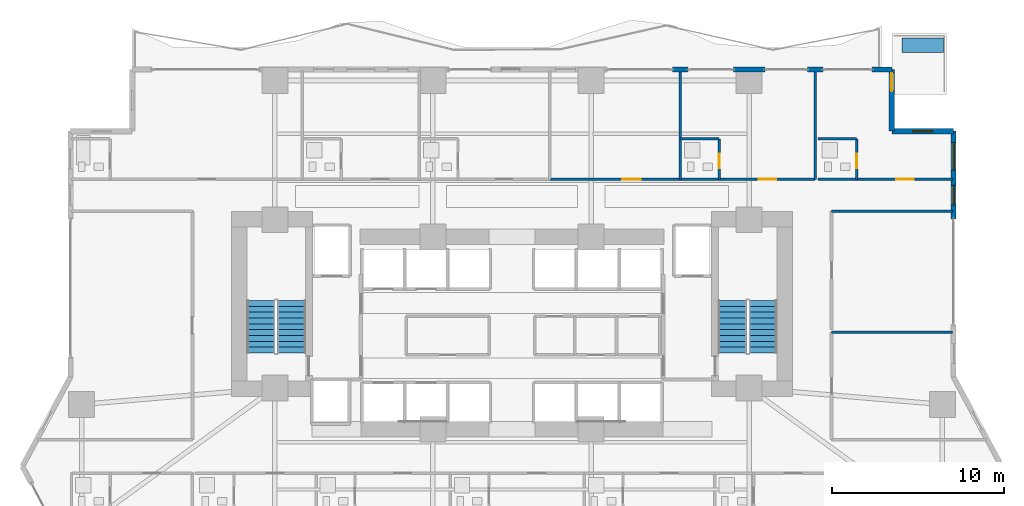
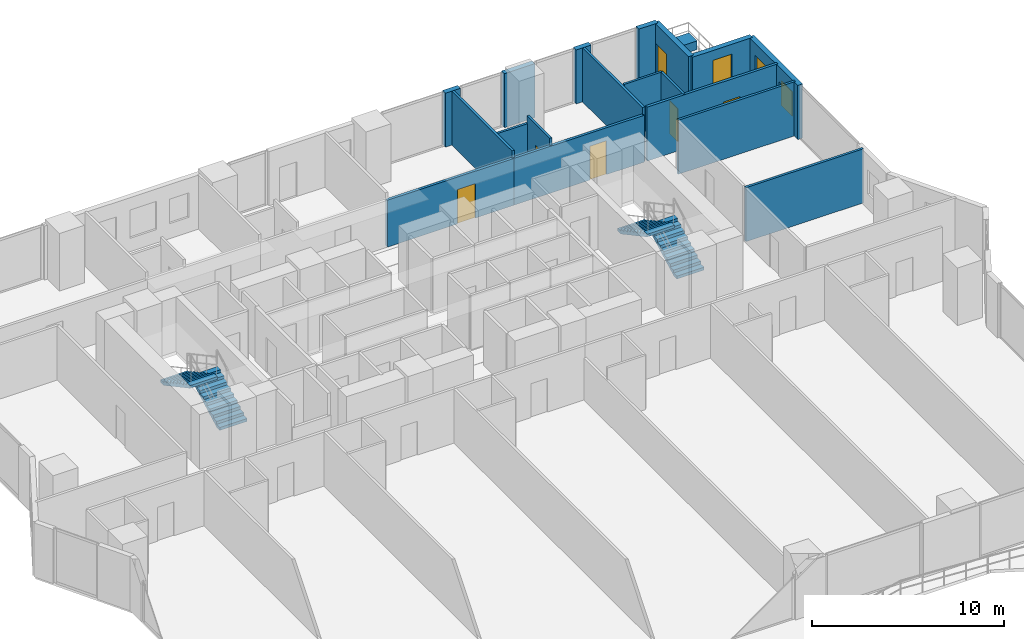
# One storey, part 23 of 28: 18 walls, 6 doors, 4 stair flights, 3 windows, 1 building element part, 9 openings, 2 elements without a shape of their own.
"""IFC4 building model written with IfcOpenShell, lengths in metres."""

from ifc_helpers import new_model, si_unit, direction, frame, frame_2d, origin, origin_2d, place, context, subcontext, project, spatial, polyline, rectangle, outline, extrude, material, layer, layer_set, type_object, element, fill, aggregate, save


model = new_model("IFC4")

# Units and contexts
model_context = context("Model", 3, precision=1e-05, world=origin(), true_north=direction((0.0, 1.0)))
body_context = subcontext(model_context, "Body", "Model", "MODEL_VIEW")
ifc_project = project(units=[si_unit("LENGTHUNIT", "METRE"), si_unit("AREAUNIT", "SQUARE_METRE"), si_unit("VOLUMEUNIT", "CUBIC_METRE"), si_unit("PLANEANGLEUNIT", "RADIAN"), si_unit("MASSUNIT", "GRAM", prefix="KILO")], contexts=[model_context])

# Site, building, storey
site_placement = place(None, origin())
site = spatial("IfcSite", under=ifc_project, at=site_placement, CompositionType="ELEMENT")
building_placement = place(site_placement, origin())
building = spatial("IfcBuilding", under=site, at=building_placement, Name="Zuhayl Quay Hotel", CompositionType="ELEMENT")
storey_placement = place(building_placement, frame((0.0, 0.0, 53.14990234375)))
storey = spatial("IfcBuildingStorey", under=building, at=storey_placement, Name="L12", CompositionType="ELEMENT", Elevation=53.14990234375)

# Walls
ifc_material_1 = material(Name="Precast concrete C45/55", Category="concrete")
ifc_layer_1 = layer(ifc_material_1, 0.300048828125, Name="Precast concrete C45/55", Category="concrete")
ifc_layer_set_1 = layer_set([ifc_layer_1], Name="Precast concrete C45/55")
wall_type_1 = type_object("IfcWallType", Name="WL_EXT_300", PredefinedType="STANDARD", material=ifc_layer_set_1)
wall_1_placement = place(storey_placement, frame((9.35009765625, 23.10009765625, 0.0), z_axis=(0.0, 0.0, 1.0), x_axis=(1.0, 0.0, 0.0)))
element("IfcWall", 1, at=wall_1_placement, inside=storey, type_object=wall_type_1, Name="L12 Exterior Precast Wall ENV_L12_N_EW4", PredefinedType="STANDARD", context=body_context, shape_type="SweptSolid", body=[
    extrude(rectangle(XDim=0.89990234375, YDim=0.300048828125, at=frame_2d((0.449951171875, 0.0))), origin(), (0.0, 0.0, 1.0), 3.43017578125),
])
wall_2_placement = place(storey_placement, frame((12.8798828125, 23.10009765625, 0.0), z_axis=(0.0, 0.0, 1.0), x_axis=(1.0, 0.0, 0.0)))
element("IfcWall", 2, at=wall_2_placement, inside=storey, type_object=wall_type_1, Name="L12 Exterior Precast Wall ENV_L12_N_EW5", PredefinedType="STANDARD", context=body_context, shape_type="SweptSolid", body=[
    extrude(rectangle(XDim=1.840087890625, YDim=0.300048828125, at=frame_2d((0.919921875, 0.0))), origin(), (0.0, 0.0, 1.0), 3.43017578125),
])
wall_3_placement = place(storey_placement, frame((17.18994140625, 23.10009765625, 0.0), z_axis=(0.0, 0.0, 1.0), x_axis=(1.0, 0.0, 0.0)))
element("IfcWall", 3, at=wall_3_placement, inside=storey, type_object=wall_type_1, Name="L12 Exterior Precast Wall ENV_L12_N_EW6", PredefinedType="STANDARD", context=body_context, shape_type="SweptSolid", body=[
    extrude(rectangle(XDim=0.900146484375, YDim=0.300048828125, at=frame_2d((0.4501953125, 0.0))), origin(), (0.0, 0.0, 1.0), 3.43017578125),
])
wall_4_placement = place(storey_placement, frame((20.949951171875, 23.10009765625, 0.0), z_axis=(0.0, 0.0, 1.0), x_axis=(1.0, 0.0, 0.0)))
element("IfcWall", 4, at=wall_4_placement, inside=storey, type_object=wall_type_1, Name="L12 Exterior Precast Wall ENV_L12_N_EW7", PredefinedType="STANDARD", context=body_context, shape_type="SweptSolid", body=[
    extrude(rectangle(XDim=1.150146484375, YDim=0.300048828125, at=frame_2d((0.5751953125, 0.0))), origin(), (0.0, 0.0, 1.0), 3.43017578125),
])

# Wall, opening, door
wall_5_placement = place(storey_placement, frame((22.10009765625, 23.10009765625, 0.0), z_axis=(0.0, 0.0, 1.0), x_axis=(0.0, -1.0, 0.0)))
wall_5 = element("IfcWall", 5, at=wall_5_placement, inside=storey, type_object=wall_type_1, Name="L12 Exterior Precast Wall ENV_L12_SP_NE", PredefinedType="STANDARD", context=body_context, shape_type="SweptSolid", body=[
    extrude(rectangle(XDim=3.60009765625, YDim=0.300048828125, at=frame_2d((1.800048828125, 0.0))), origin(), (0.0, 0.0, 1.0), 3.43017578125),
])
opening_1_placement = place(wall_5_placement, frame((0.219970703125, 0.0, 0.0)))
opening_1 = element("IfcOpeningElement", 6, at=opening_1_placement, cuts=wall_5, Name="Opening DG1", PredefinedType="OPENING", context=body_context, shape_type="SweptSolid", body=[
    extrude(rectangle(XDim=1.050048828125, YDim=2.199951171875, at=frame_2d((0.52490234375, 1.10009765625))), frame((0.0, 0.159912109375, 0.0), z_axis=(0.0, -1.0, 0.0), x_axis=(1.0, 0.0, 0.0)), (0.0, 0.0, 1.0), 0.320068359375),
])
ifc_material_2 = material(Name="Anodised Aluminium and Dark Solar Glass", Category="aluminium")
door_type_1 = type_object("IfcDoorType", Name="DR_EXT_TERR_1050", OperationType="NOTDEFINED", PredefinedType="DOOR", material=ifc_material_2)
door_1_placement = place(opening_1_placement, origin())
door_1 = element("IfcDoor", 7, at=door_1_placement, inside=storey, type_object=door_type_1, Name="L12 Spiral Sky-Terrace NE Access Door", OperationType="SINGLE_SWING_LEFT", OverallHeight=2.199951171875, OverallWidth=1.050048828125, PredefinedType="DOOR", context=body_context, shape_type="SweptSolid", body=[
    extrude(rectangle(XDim=1.050048828125, YDim=2.199951171875, at=frame_2d((0.52490234375, 1.10009765625))), frame((0.0, 0.02490234375, 0.0), z_axis=(0.0, -1.0, 0.0), x_axis=(1.0, 0.0, 0.0)), (0.0, 0.0, 1.0), 0.050048828125),
])
fill(opening_1, door_1)

# Wall, opening, window
wall_6_placement = place(storey_placement, frame((22.10009765625, 19.5, 0.0), z_axis=(0.0, 0.0, 1.0), x_axis=(1.0, 0.0, 0.0)))
wall_6 = element("IfcWall", 8, at=wall_6_placement, inside=storey, type_object=wall_type_1, Name="L12 Exterior Precast Wall ENV_L12_EW10", PredefinedType="STANDARD", context=body_context, shape_type="SweptSolid", body=[
    extrude(rectangle(XDim=3.599853515625, YDim=0.300048828125, at=frame_2d((1.7998046875, 0.0))), origin(), (0.0, 0.0, 1.0), 3.43017578125),
])
opening_2_placement = place(wall_6_placement, frame((1.22509765625, 0.0, 1.25)))
opening_2 = element("IfcOpeningElement", 9, at=opening_2_placement, cuts=wall_6, Name="Opening W01N", PredefinedType="OPENING", context=body_context, shape_type="SweptSolid", body=[
    extrude(rectangle(XDim=1.14990234375, YDim=1.550048828125, at=frame_2d((0.574951171875, 0.77490234375))), frame((0.0, 0.159912109375, 0.0), z_axis=(0.0, -1.0, 0.0), x_axis=(1.0, 0.0, 0.0)), (0.0, 0.0, 1.0), 0.320068359375),
])
ifc_material_3 = material(Name="Dark Ceramic-Fritted Solar Glass", Category="glass")
window_type_1 = type_object("IfcWindowType", Name="WN_NOTCH_1350", PartitioningType="SINGLE_PANEL", PredefinedType="WINDOW", material=ifc_material_3)
window_1_placement = place(opening_2_placement, origin())
window_1 = element("IfcWindow", 10, at=window_1_placement, inside=storey, type_object=window_type_1, Name="L12 Corner Notch Window 10", OverallHeight=1.550048828125, OverallWidth=1.14990234375, PartitioningType="SINGLE_PANEL", PredefinedType="WINDOW", context=body_context, shape_type="SweptSolid", body=[
    extrude(rectangle(XDim=1.14990234375, YDim=1.550048828125, at=frame_2d((0.574951171875, 0.77490234375))), frame((0.0, 0.030029296875, 0.0), z_axis=(0.0, -1.0, 0.0), x_axis=(1.0, 0.0, 0.0)), (0.0, 0.0, 1.0), 0.06005859375),
])
fill(opening_2, window_1)

# Wall, openings, windows
wall_7_placement = place(storey_placement, frame((25.699951171875, 19.5, 0.0), z_axis=(0.0, 0.0, 1.0), x_axis=(0.0, -1.0, 0.0)))
wall_7 = element("IfcWall", 11, at=wall_7_placement, inside=storey, type_object=wall_type_1, Name="L12 Exterior Precast Wall ENV_L12_E11_EW1", PredefinedType="STANDARD", context=body_context, shape_type="SweptSolid", body=[
    extrude(rectangle(XDim=5.10009765625, YDim=0.300048828125, at=frame_2d((2.550048828125, 0.0))), origin(), (0.0, 0.0, 1.0), 3.43017578125),
])
opening_3_placement = place(wall_7_placement, frame((0.659912109375, 0.0, 0.85009765625)))
opening_3 = element("IfcOpeningElement", 12, at=opening_3_placement, cuts=wall_7, Name="Opening W01", PredefinedType="OPENING", context=body_context, shape_type="SweptSolid", body=[
    extrude(rectangle(XDim=1.60009765625, YDim=1.800048828125, at=frame_2d((0.800048828125, 0.89990234375))), frame((0.0, 0.159912109375, 0.0), z_axis=(0.0, -1.0, 0.0), x_axis=(1.0, 0.0, 0.0)), (0.0, 0.0, 1.0), 0.320068359375),
])
opening_4_placement = place(wall_7_placement, frame((3.14990234375, 0.0, 0.949951171875)))
opening_4 = element("IfcOpeningElement", 13, at=opening_4_placement, cuts=wall_7, Name="Opening W01N", PredefinedType="OPENING", context=body_context, shape_type="SweptSolid", body=[
    extrude(rectangle(XDim=1.14990234375, YDim=1.550048828125, at=frame_2d((0.574951171875, 0.77490234375))), frame((0.0, 0.159912109375, 0.0), z_axis=(0.0, -1.0, 0.0), x_axis=(1.0, 0.0, 0.0)), (0.0, 0.0, 1.0), 0.320068359375),
])
window_2_placement = place(opening_4_placement, origin())
window_2 = element("IfcWindow", 14, at=window_2_placement, inside=storey, type_object=window_type_1, Name="L12 Operable Facade Window 1-2", OverallHeight=1.550048828125, OverallWidth=1.14990234375, PartitioningType="SINGLE_PANEL", PredefinedType="WINDOW", context=body_context, shape_type="SweptSolid", body=[
    extrude(rectangle(XDim=1.14990234375, YDim=1.550048828125, at=frame_2d((0.574951171875, 0.77490234375))), frame((0.0, 0.030029296875, 0.0), z_axis=(0.0, -1.0, 0.0), x_axis=(1.0, 0.0, 0.0)), (0.0, 0.0, 1.0), 0.06005859375),
])
fill(opening_4, window_2)
window_type_2 = type_object("IfcWindowType", Name="WN_OPERABLE_1600", PartitioningType="DOUBLE_PANEL_VERTICAL", PredefinedType="WINDOW", material=ifc_material_3)
window_3_placement = place(opening_3_placement, origin())
window_3 = element("IfcWindow", 15, at=window_3_placement, inside=storey, type_object=window_type_2, Name="L12 Operable Facade Window 1-1", OverallHeight=1.800048828125, OverallWidth=1.60009765625, PartitioningType="SINGLE_PANEL", PredefinedType="WINDOW", context=body_context, shape_type="SweptSolid", body=[
    extrude(rectangle(XDim=1.60009765625, YDim=1.800048828125, at=frame_2d((0.800048828125, 0.89990234375))), frame((0.0, 0.030029296875, 0.0), z_axis=(0.0, -1.0, 0.0), x_axis=(1.0, 0.0, 0.0)), (0.0, 0.0, 1.0), 0.06005859375),
])
fill(opening_3, window_3)

# Walls
ifc_material_4 = material(Name="Acoustic Gypsum Partition STC-58")
ifc_layer_2 = layer(ifc_material_4, 0.14990234375, Name="Acoustic Gypsum Partition STC-58")
ifc_layer_set_2 = layer_set([ifc_layer_2], Name="Acoustic Gypsum Partition STC-58")
wall_type_2 = type_object("IfcWallType", Name="WL_PART_150", PredefinedType="PARTITIONING", material=ifc_layer_set_2)
wall_8_placement = place(storey_placement, frame((9.800048828125, 16.699951171875, 0.0), z_axis=(0.0, 0.0, 1.0), x_axis=(0.0, 1.0, 0.0)))
element("IfcWall", 16, at=wall_8_placement, inside=storey, type_object=wall_type_2, Name="L12 Partition IW_L12_NSAL_3_E", PredefinedType="PARTITIONING", context=body_context, shape_type="SweptSolid", body=[
    extrude(rectangle(XDim=6.340087890625, YDim=0.14990234375, at=frame_2d((3.169921875, 0.0))), origin(), (0.0, 0.0, 1.0), 3.43017578125),
])
wall_9_placement = place(storey_placement, frame((17.639892578125, 16.699951171875, 0.0), z_axis=(0.0, 0.0, 1.0), x_axis=(0.0, 1.0, 0.0)))
element("IfcWall", 17, at=wall_9_placement, inside=storey, type_object=wall_type_2, Name="L12 Partition IW_L12_NU05A_E", PredefinedType="PARTITIONING", context=body_context, shape_type="SweptSolid", body=[
    extrude(rectangle(XDim=6.320068359375, YDim=0.14990234375, at=frame_2d((3.16015625, 0.0))), origin(), (0.0, 0.0, 1.0), 3.43017578125),
])
for number, where, z_axis, x_axis, name in (
    (18, (18.60009765625, 7.800048828125, 0.0), (0.0, 0.0, 1.0), (1.0, 0.0, 0.0), "L12 Partition IW_L12_HK_MAIN_N"),
    (19, (18.60009765625, 14.85009765625, 0.0), (0.0, 0.0, 1.0), (1.0, 0.0, 0.0), "L12 Partition IW_L12_EFLK_2_N"),
):
    element("IfcWall", number, at=place(storey_placement, frame(where, z_axis=z_axis, x_axis=x_axis)), inside=storey, type_object=wall_type_2, Name=name, PredefinedType="PARTITIONING", context=body_context, shape_type="SweptSolid", body=[
        extrude(rectangle(XDim=7.039794921875, YDim=0.14990234375, at=frame_2d((3.52001953125, 0.0))), origin(), (0.0, 0.0, 1.0), 3.43017578125),
    ])

# Wall, opening, door
ifc_layer_3 = layer(ifc_material_4, 0.159912109375, Name="Acoustic Gypsum Partition STC-58")
ifc_layer_set_3 = layer_set([ifc_layer_3], Name="Acoustic Gypsum Partition STC-58")
wall_type_3 = type_object("IfcWallType", Name="WL_PART_CORR_160", PredefinedType="PARTITIONING", material=ifc_layer_set_3)
wall_10_placement = place(storey_placement, frame((2.199951171875, 16.699951171875, 0.0), z_axis=(0.0, 0.0, 1.0), x_axis=(1.0, 0.0, 0.0)))
wall_10 = element("IfcWall", 20, at=wall_10_placement, inside=storey, type_object=wall_type_3, Name="L12 Partition IW_L12_NSAL_3_S", PredefinedType="PARTITIONING", context=body_context, shape_type="SweptSolid", body=[
    extrude(rectangle(XDim=7.60009765625, YDim=0.159912109375, at=frame_2d((3.800048828125, 0.0))), origin(), (0.0, 0.0, 1.0), 2.97314453125),
])
opening_5_placement = place(wall_10_placement, frame((4.2099609375, 0.0, 0.0)))
opening_5 = element("IfcOpeningElement", 21, at=opening_5_placement, cuts=wall_10, Name="Opening D05A", PredefinedType="OPENING", context=body_context, shape_type="SweptSolid", body=[
    extrude(rectangle(XDim=1.080078125, YDim=2.179931640625, at=frame_2d((0.5400390625, 1.08984375))), frame((0.0, 0.08984375, 0.0), z_axis=(0.0, -1.0, 0.0), x_axis=(1.0, 0.0, 0.0)), (0.0, 0.0, 1.0), 0.179931640625),
])
ifc_material_5 = material(Name="Solid Walnut Acoustic Fire Door")
door_type_2 = type_object("IfcDoorType", Name="DR_INT_1100", OperationType="NOTDEFINED", PredefinedType="DOOR", material=ifc_material_5)
door_2_placement = place(opening_5_placement, origin())
door_2 = element("IfcDoor", 22, at=door_2_placement, inside=storey, type_object=door_type_2, Name="L12 Club Breakfast Salon Door", OperationType="SINGLE_SWING_LEFT", OverallHeight=2.179931640625, OverallWidth=1.080078125, PredefinedType="DOOR", context=body_context, shape_type="SweptSolid", body=[
    extrude(rectangle(XDim=1.080078125, YDim=2.179931640625, at=frame_2d((0.5400390625, 1.08984375))), frame((0.0, 0.02490234375, 0.0), z_axis=(0.0, -1.0, 0.0), x_axis=(1.0, 0.0, 0.0)), (0.0, 0.0, 1.0), 0.050048828125),
])
fill(opening_5, door_2)

wall_11_placement = place(storey_placement, frame((9.800048828125, 16.699951171875, 0.0), z_axis=(0.0, 0.0, 1.0), x_axis=(1.0, 0.0, 0.0)))
wall_11 = element("IfcWall", 23, at=wall_11_placement, inside=storey, type_object=wall_type_3, Name="L12 Partition IW_L12_NU05A_COR", PredefinedType="PARTITIONING", context=body_context, shape_type="SweptSolid", body=[
    extrude(rectangle(XDim=7.83984375, YDim=0.159912109375, at=frame_2d((3.919921875, 0.0))), origin(), (0.0, 0.0, 1.0), 2.97314453125),
])
opening_6_placement = place(wall_11_placement, frame((4.570068359375, 0.0, 0.0)))
opening_6 = element("IfcOpeningElement", 24, at=opening_6_placement, cuts=wall_11, Name="Opening D03L", PredefinedType="OPENING", context=body_context, shape_type="SweptSolid", body=[
    extrude(rectangle(XDim=1.0, YDim=2.14990234375, at=frame_2d((0.5, 1.074951171875))), frame((0.0, 0.08984375, 0.0), z_axis=(0.0, -1.0, 0.0), x_axis=(1.0, 0.0, 0.0)), (0.0, 0.0, 1.0), 0.179931640625),
])
door_type_3 = type_object("IfcDoorType", Name="DR_SUITE_1000", OperationType="NOTDEFINED", PredefinedType="DOOR", material=ifc_material_5)
door_3_placement = place(opening_6_placement, origin())
door_3 = element("IfcDoor", 25, at=door_3_placement, inside=storey, type_object=door_type_3, Name="L12 Deluxe Gulf Guest Room L12-05A Entrance Door", OperationType="SINGLE_SWING_LEFT", OverallHeight=2.14990234375, OverallWidth=1.0, PredefinedType="DOOR", context=body_context, shape_type="SweptSolid", body=[
    extrude(rectangle(XDim=1.0, YDim=2.14990234375, at=frame_2d((0.5, 1.074951171875))), frame((0.0, 0.02490234375, 0.0), z_axis=(0.0, -1.0, 0.0), x_axis=(1.0, 0.0, 0.0)), (0.0, 0.0, 1.0), 0.050048828125),
])
fill(opening_6, door_3)

wall_12_placement = place(storey_placement, frame((17.800048828125, 16.699951171875, 0.0), z_axis=(0.0, 0.0, 1.0), x_axis=(1.0, 0.0, 0.0)))
wall_12 = element("IfcWall", 26, at=wall_12_placement, inside=storey, type_object=wall_type_3, Name="L12 Partition IW_L12_NU05B_COR", PredefinedType="PARTITIONING", context=body_context, shape_type="SweptSolid", body=[
    extrude(rectangle(XDim=7.83984375, YDim=0.159912109375, at=frame_2d((3.919921875, 0.0))), origin(), (0.0, 0.0, 1.0), 3.43017578125),
])
opening_7_placement = place(wall_12_placement, frame((4.570068359375, 0.0, 0.0)))
opening_7 = element("IfcOpeningElement", 27, at=opening_7_placement, cuts=wall_12, Name="Opening D03L", PredefinedType="OPENING", context=body_context, shape_type="SweptSolid", body=[
    extrude(rectangle(XDim=1.0, YDim=2.14990234375, at=frame_2d((0.5, 1.074951171875))), frame((0.0, 0.08984375, 0.0), z_axis=(0.0, -1.0, 0.0), x_axis=(1.0, 0.0, 0.0)), (0.0, 0.0, 1.0), 0.179931640625),
])
door_4_placement = place(opening_7_placement, origin())
door_4 = element("IfcDoor", 28, at=door_4_placement, inside=storey, type_object=door_type_3, Name="L12 Deluxe Gulf Guest Room L12-05B Entrance Door", OperationType="SINGLE_SWING_LEFT", OverallHeight=2.14990234375, OverallWidth=1.0, PredefinedType="DOOR", context=body_context, shape_type="SweptSolid", body=[
    extrude(rectangle(XDim=1.0, YDim=2.14990234375, at=frame_2d((0.5, 1.074951171875))), frame((0.0, 0.02490234375, 0.0), z_axis=(0.0, -1.0, 0.0), x_axis=(1.0, 0.0, 0.0)), (0.0, 0.0, 1.0), 0.050048828125),
])
fill(opening_7, door_4)

ifc_material_6 = material(Name="Moisture-Resistant Sanitarychase Gypsum")
ifc_layer_4 = layer(ifc_material_6, 0.135009765625, Name="Moisture-Resistant Sanitarychase Gypsum")
ifc_layer_set_4 = layer_set([ifc_layer_4], Name="Moisture-Resistant Sanitarychase Gypsum")
wall_type_4 = type_object("IfcWallType", Name="WL_PART_PLUMB_150", PredefinedType="PLUMBINGWALL", material=ifc_layer_set_4)
wall_13_placement = place(storey_placement, frame((12.06005859375, 16.699951171875, 0.0), z_axis=(0.0, 0.0, 1.0), x_axis=(0.0, 1.0, 0.0)))
wall_13 = element("IfcWall", 29, at=wall_13_placement, inside=storey, type_object=wall_type_4, Name="L12 Partition IW_L12_NU05A_BE", PredefinedType="PLUMBINGWALL", context=body_context, shape_type="SweptSolid", body=[
    extrude(rectangle(XDim=2.360107421875, YDim=0.135009765625, at=frame_2d((1.18017578125, 0.0))), origin(), (0.0, 0.0, 1.0), 3.43017578125),
])
opening_8_placement = place(wall_13_placement, frame((0.64990234375, 0.0, 0.0)))
opening_8 = element("IfcOpeningElement", 30, at=opening_8_placement, cuts=wall_13, Name="Opening D04", PredefinedType="OPENING", context=body_context, shape_type="SweptSolid", body=[
    extrude(rectangle(XDim=0.85009765625, YDim=2.10009765625, at=frame_2d((0.425048828125, 1.050048828125))), frame((0.0, 0.077392578125, 0.0), z_axis=(0.0, -1.0, 0.0), x_axis=(1.0, 0.0, 0.0)), (0.0, 0.0, 1.0), 0.155029296875),
])
ifc_material_7 = material(Name="Moisture-Resistant Walnut Veneer")
door_type_4 = type_object("IfcDoorType", Name="DR_BATH_850", OperationType="NOTDEFINED", PredefinedType="DOOR", material=ifc_material_7)
door_5_placement = place(opening_8_placement, origin())
door_5 = element("IfcDoor", 31, at=door_5_placement, inside=storey, type_object=door_type_4, Name="L12 Deluxe Gulf Guest Room L12-05A En-Suite Door", OperationType="SINGLE_SWING_RIGHT", OverallHeight=2.10009765625, OverallWidth=0.85009765625, PredefinedType="DOOR", context=body_context, shape_type="SweptSolid", body=[
    extrude(rectangle(XDim=0.85009765625, YDim=2.10009765625, at=frame_2d((0.425048828125, 1.050048828125))), frame((0.0, 0.02490234375, 0.0), z_axis=(0.0, -1.0, 0.0), x_axis=(1.0, 0.0, 0.0)), (0.0, 0.0, 1.0), 0.050048828125),
])
fill(opening_8, door_5)

wall_14_placement = place(storey_placement, frame((20.06005859375, 16.699951171875, 0.0), z_axis=(0.0, 0.0, 1.0), x_axis=(0.0, 1.0, 0.0)))
wall_14 = element("IfcWall", 32, at=wall_14_placement, inside=storey, type_object=wall_type_4, Name="L12 Partition IW_L12_NU05B_BE", PredefinedType="PLUMBINGWALL", context=body_context, shape_type="SweptSolid", body=[
    extrude(rectangle(XDim=2.360107421875, YDim=0.135009765625, at=frame_2d((1.18017578125, 0.0))), origin(), (0.0, 0.0, 1.0), 3.43017578125),
])
opening_9_placement = place(wall_14_placement, frame((0.64990234375, 0.0, 0.0)))
opening_9 = element("IfcOpeningElement", 33, at=opening_9_placement, cuts=wall_14, Name="Opening D04", PredefinedType="OPENING", context=body_context, shape_type="SweptSolid", body=[
    extrude(rectangle(XDim=0.85009765625, YDim=2.10009765625, at=frame_2d((0.425048828125, 1.050048828125))), frame((0.0, 0.077392578125, 0.0), z_axis=(0.0, -1.0, 0.0), x_axis=(1.0, 0.0, 0.0)), (0.0, 0.0, 1.0), 0.155029296875),
])
door_6_placement = place(opening_9_placement, origin())
door_6 = element("IfcDoor", 34, at=door_6_placement, inside=storey, type_object=door_type_4, Name="L12 Deluxe Gulf Guest Room L12-05B En-Suite Door", OperationType="SINGLE_SWING_RIGHT", OverallHeight=2.10009765625, OverallWidth=0.85009765625, PredefinedType="DOOR", context=body_context, shape_type="SweptSolid", body=[
    extrude(rectangle(XDim=0.85009765625, YDim=2.10009765625, at=frame_2d((0.425048828125, 1.050048828125))), frame((0.0, 0.02490234375, 0.0), z_axis=(0.0, -1.0, 0.0), x_axis=(1.0, 0.0, 0.0)), (0.0, 0.0, 1.0), 0.050048828125),
])
fill(opening_9, door_6)

# Walls
wall_15_placement = place(storey_placement, frame((9.800048828125, 19.06005859375, 0.0), z_axis=(0.0, 0.0, 1.0), x_axis=(1.0, 0.0, 0.0)))
element("IfcWall", 35, at=wall_15_placement, inside=storey, type_object=wall_type_4, Name="L12 Partition IW_L12_NU05A_BN", PredefinedType="PLUMBINGWALL", context=body_context, shape_type="SweptSolid", body=[
    extrude(rectangle(XDim=2.260009765625, YDim=0.135009765625, at=frame_2d((1.1298828125, 0.0))), origin(), (0.0, 0.0, 1.0), 2.97314453125),
])
wall_16_placement = place(storey_placement, frame((17.800048828125, 19.06005859375, 0.0), z_axis=(0.0, 0.0, 1.0), x_axis=(1.0, 0.0, 0.0)))
element("IfcWall", 36, at=wall_16_placement, inside=storey, type_object=wall_type_4, Name="L12 Partition IW_L12_NU05B_BN", PredefinedType="PLUMBINGWALL", context=body_context, shape_type="SweptSolid", body=[
    extrude(rectangle(XDim=2.260009765625, YDim=0.135009765625, at=frame_2d((1.1298828125, 0.0))), origin(), (0.0, 0.0, 1.0), 3.43017578125),
])

# Stair, stair flights
ifc_material_8 = material(Name="Concrete C45/55", Category="concrete")
stair_type = type_object("IfcStairType", Name="ST_DOGLEG_TOWER", PredefinedType="HALF_TURN_STAIR", material=ifc_material_8)
stair_1_placement = place(storey_placement, origin())
stair_1 = element("IfcStair", 37, at=stair_1_placement, inside=storey, type_object=stair_type, Name="L12 Smokeproof Exit Stair ST1", PredefinedType="HALF_TURN_STAIR")
ifc_layer_5 = layer(ifc_material_8, 0.159912109375, Name="Concrete C45/55", Category="concrete")
ifc_layer_set_5 = layer_set([ifc_layer_5], Name="Concrete C45/55")
stair_flight_type = type_object("IfcStairFlightType", Name="SF_CONC_164", PredefinedType="STRAIGHT", material=ifc_layer_set_5)
stair_flight_1_placement = place(storey_placement, frame((-12.820068359375, 6.590087890625, 0.0), z_axis=(0.0, 0.0, 1.0), x_axis=(0.0, 1.0, 0.0)))
stair_flight_1 = element("IfcStairFlight", 38, at=stair_flight_1_placement, type_object=stair_flight_type, Name="ST1 flight 1", NumberOfRisers=10, NumberOfTreads=9, PredefinedType="STRAIGHT", RiserHeight=0.1825, TreadLength=0.34, context=body_context, shape_type="SweptSolid", body=[
    extrude(outline(polyline([(0.0, 0.0), (0.0, 0.1826171875), (0.340087890625, 0.1826171875), (0.340087890625, 0.364990234375), (0.679931640625, 0.364990234375), (0.679931640625, 0.547607421875), (1.02001953125, 0.547607421875), (1.02001953125, 0.72998046875), (1.360107421875, 0.72998046875), (1.360107421875, 0.91259765625), (1.699951171875, 0.91259765625), (1.699951171875, 1.094970703125), (2.0400390625, 1.094970703125), (2.0400390625, 1.277587890625), (2.3798828125, 1.277587890625), (2.3798828125, 1.4599609375), (2.719970703125, 1.4599609375), (2.719970703125, 1.642578125), (3.06005859375, 1.642578125), (3.06005859375, 1.824951171875), (3.06005859375, 1.472412109375), (0.31689453125, 0.0), (0.0, 0.0)])), frame((0.0, 0.81982421875, 0.0), z_axis=(0.0, -1.0, 0.0), x_axis=(1.0, 0.0, 0.0)), (0.0, 0.0, 1.0), 1.639892578125),
])
stair_flight_2_placement = place(storey_placement, frame((-14.610107421875, 9.64990234375, 1.8251953125), z_axis=(0.0, 0.0, 1.0), x_axis=(0.0, -1.0, 0.0)))
stair_flight_2 = element("IfcStairFlight", 39, at=stair_flight_2_placement, type_object=stair_flight_type, Name="ST1 flight 2", NumberOfRisers=10, NumberOfTreads=9, PredefinedType="STRAIGHT", RiserHeight=0.1825, TreadLength=0.34, context=body_context, shape_type="SweptSolid", body=[
    extrude(outline(polyline([(0.0, 0.0), (0.0, 0.1826171875), (0.340087890625, 0.1826171875), (0.340087890625, 0.364990234375), (0.679931640625, 0.364990234375), (0.679931640625, 0.547607421875), (1.02001953125, 0.547607421875), (1.02001953125, 0.72998046875), (1.360107421875, 0.72998046875), (1.360107421875, 0.91259765625), (1.699951171875, 0.91259765625), (1.699951171875, 1.094970703125), (2.0400390625, 1.094970703125), (2.0400390625, 1.277587890625), (2.3798828125, 1.277587890625), (2.3798828125, 1.4599609375), (2.719970703125, 1.4599609375), (2.719970703125, 1.642578125), (3.06005859375, 1.642578125), (3.06005859375, 1.824951171875), (3.06005859375, 1.472412109375), (0.31689453125, 0.0), (0.0, 0.0)])), frame((0.0, 0.81982421875, 0.0), z_axis=(0.0, -1.0, 0.0), x_axis=(1.0, 0.0, 0.0)), (0.0, 0.0, 1.0), 1.639892578125),
])
aggregate(stair_1, [stair_flight_1, stair_flight_2])

stair_2_placement = place(storey_placement, origin())
stair_2 = element("IfcStair", 40, at=stair_2_placement, inside=storey, type_object=stair_type, Name="L12 Smokeproof Exit Stair ST2", PredefinedType="HALF_TURN_STAIR")
stair_flight_3_placement = place(storey_placement, frame((14.610107421875, 6.590087890625, 0.0), z_axis=(0.0, 0.0, 1.0), x_axis=(0.0, 1.0, 0.0)))
stair_flight_3 = element("IfcStairFlight", 41, at=stair_flight_3_placement, type_object=stair_flight_type, Name="ST2 flight 1", NumberOfRisers=10, NumberOfTreads=9, PredefinedType="STRAIGHT", RiserHeight=0.1825, TreadLength=0.34, context=body_context, shape_type="SweptSolid", body=[
    extrude(outline(polyline([(0.0, 0.0), (0.0, 0.1826171875), (0.340087890625, 0.1826171875), (0.340087890625, 0.364990234375), (0.679931640625, 0.364990234375), (0.679931640625, 0.547607421875), (1.02001953125, 0.547607421875), (1.02001953125, 0.72998046875), (1.360107421875, 0.72998046875), (1.360107421875, 0.91259765625), (1.699951171875, 0.91259765625), (1.699951171875, 1.094970703125), (2.0400390625, 1.094970703125), (2.0400390625, 1.277587890625), (2.3798828125, 1.277587890625), (2.3798828125, 1.4599609375), (2.719970703125, 1.4599609375), (2.719970703125, 1.642578125), (3.06005859375, 1.642578125), (3.06005859375, 1.824951171875), (3.06005859375, 1.472412109375), (0.31689453125, 0.0), (0.0, 0.0)])), frame((0.0, 0.81982421875, 0.0), z_axis=(0.0, -1.0, 0.0), x_axis=(1.0, 0.0, 0.0)), (0.0, 0.0, 1.0), 1.639892578125),
])
stair_flight_4_placement = place(storey_placement, frame((12.820068359375, 9.64990234375, 1.8251953125), z_axis=(0.0, 0.0, 1.0), x_axis=(0.0, -1.0, 0.0)))
stair_flight_4 = element("IfcStairFlight", 42, at=stair_flight_4_placement, type_object=stair_flight_type, Name="ST2 flight 2", NumberOfRisers=10, NumberOfTreads=9, PredefinedType="STRAIGHT", RiserHeight=0.1825, TreadLength=0.34, context=body_context, shape_type="SweptSolid", body=[
    extrude(outline(polyline([(0.0, 0.0), (0.0, 0.1826171875), (0.340087890625, 0.1826171875), (0.340087890625, 0.364990234375), (0.679931640625, 0.364990234375), (0.679931640625, 0.547607421875), (1.02001953125, 0.547607421875), (1.02001953125, 0.72998046875), (1.360107421875, 0.72998046875), (1.360107421875, 0.91259765625), (1.699951171875, 0.91259765625), (1.699951171875, 1.094970703125), (2.0400390625, 1.094970703125), (2.0400390625, 1.277587890625), (2.3798828125, 1.277587890625), (2.3798828125, 1.4599609375), (2.719970703125, 1.4599609375), (2.719970703125, 1.642578125), (3.06005859375, 1.642578125), (3.06005859375, 1.824951171875), (3.06005859375, 1.472412109375), (0.31689453125, 0.0), (0.0, 0.0)])), frame((0.0, 0.81982421875, 0.0), z_axis=(0.0, -1.0, 0.0), x_axis=(1.0, 0.0, 0.0)), (0.0, 0.0, 1.0), 1.639892578125),
])
aggregate(stair_2, [stair_flight_3, stair_flight_4])

# Building element part
ifc_layer_6 = layer(ifc_material_1, 0.550048828125, Name="Precast concrete C45/55", Category="concrete")
ifc_layer_set_6 = layer_set([ifc_layer_6], Name="Precast concrete C45/55")
building_element_part_type = type_object("IfcBuildingElementPartType", Name="PT_PLANTER_KERB", PredefinedType="PRECASTPANEL", material=ifc_layer_set_6)
building_element_part_placement = place(storey_placement, frame((23.909912109375, 24.510009765625, 0.0), z_axis=(0.0, 0.0, 1.0), x_axis=(1.0, 0.0, 0.0)))
element("IfcBuildingElementPart", 43, at=building_element_part_placement, inside=storey, type_object=building_element_part_type, Name="L12 Spiral Sky-Terrace Planter Box NE", PredefinedType="PRECASTPANEL", context=body_context, shape_type="SweptSolid", body=[
    extrude(rectangle(XDim=2.39990234375, YDim=0.85009765625, at=origin_2d()), origin(), (0.0, 0.0, 1.0), 0.550048828125),
])

save(model, "model.ifc")
